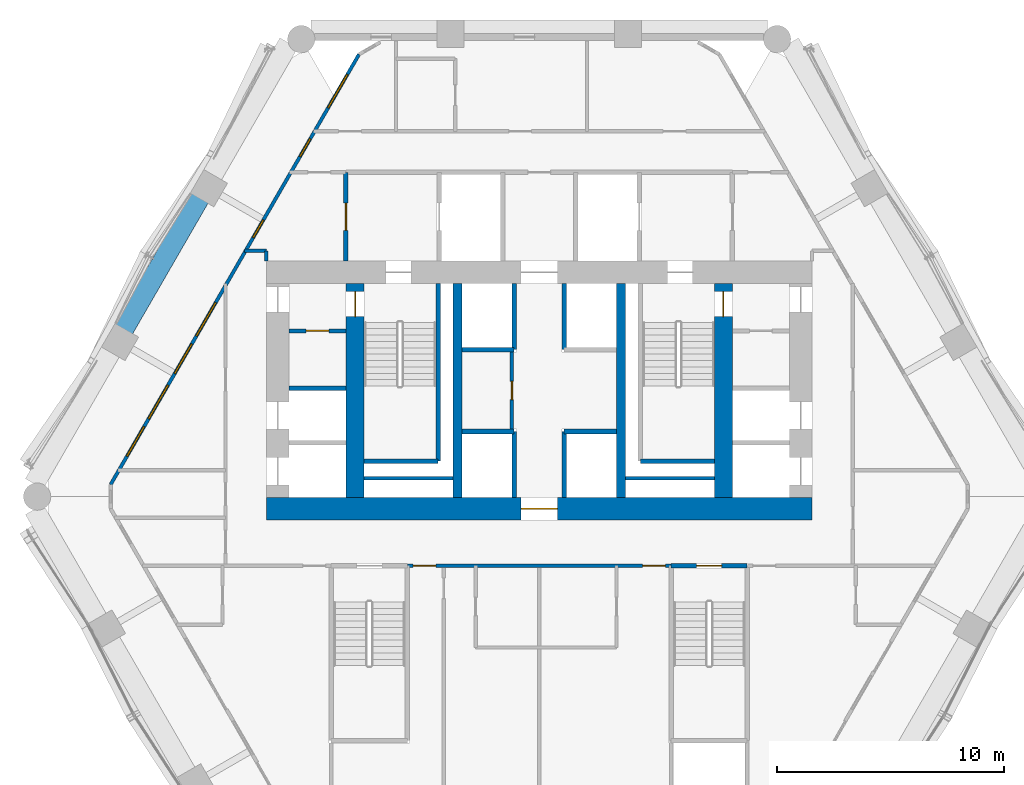
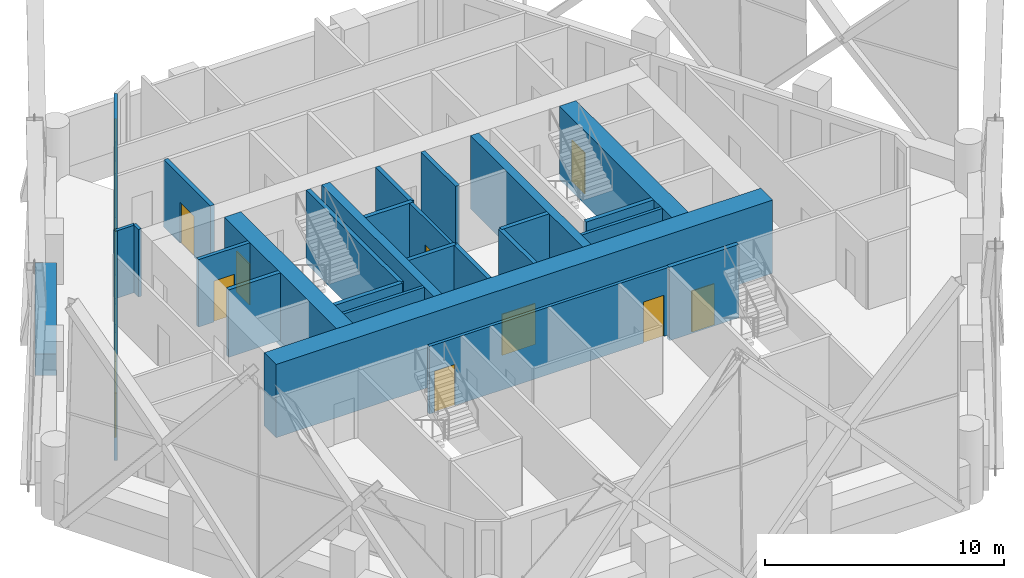
# One storey, part 13 of 21: 27 walls, 9 doors, 7 windows, 16 openings.
"""IFC4 building model written with IfcOpenShell, lengths in metres."""

from ifc_helpers import new_model, si_unit, direction, frame, frame_2d, origin, place, context, subcontext, project, spatial, rectangle, extrude, material, layer, layer_set, type_object, element, fill, save


model = new_model("IFC4")

# Units and contexts
model_context = context("Model", 3, precision=1e-05, world=origin(), true_north=direction((0.0, 1.0)))
body_context = subcontext(model_context, "Body", "Model", "MODEL_VIEW")
ifc_project = project(units=[si_unit("LENGTHUNIT", "METRE"), si_unit("AREAUNIT", "SQUARE_METRE"), si_unit("VOLUMEUNIT", "CUBIC_METRE"), si_unit("PLANEANGLEUNIT", "RADIAN"), si_unit("MASSUNIT", "GRAM", prefix="KILO")], contexts=[model_context])

# Site, building, storey
site_placement = place(None, origin())
site = spatial("IfcSite", under=ifc_project, at=site_placement, CompositionType="ELEMENT")
building_placement = place(site_placement, origin())
building = spatial("IfcBuilding", under=site, at=building_placement, Name="Ostrander Bayou Hotel Tower", CompositionType="ELEMENT")
storey_placement = place(building_placement, frame((0.0, 0.0, 116.0)))
storey = spatial("IfcBuildingStorey", under=building, at=storey_placement, Name="L28", CompositionType="ELEMENT", Elevation=116.0)

# Wall, opening, door
ifc_material_1 = material(Name="Concrete f'c 70 MPa", Category="concrete")
ifc_layer_1 = layer(ifc_material_1, 1.0)
ifc_layer_set_1 = layer_set([ifc_layer_1], Name="CW4 core wall 1000 mm f'c 70 MPa")
wall_type_1 = type_object("IfcWallType", Name="CW4 core wall 1000 mm f'c 70 MPa", PredefinedType="SHEAR", material=ifc_layer_set_1)
wall_1_placement = place(storey_placement, frame((-12.0, -1.199951171875, -0.300048828125), z_axis=(0.0, 0.0, 1.0), x_axis=(1.0, 0.0, 0.0)))
wall_1 = element("IfcWall", 1, at=wall_1_placement, inside=storey, type_object=wall_type_1, Name="CW4 L28 S", PredefinedType="SHEAR", context=body_context, shape_type="SweptSolid", body=[
    extrude(rectangle(XDim=24.0, YDim=1.0, at=frame_2d((12.0, 0.0))), origin(), (0.0, 0.0, 1.0), 3.75),
])
opening_1_placement = place(wall_1_placement, frame((11.199951171875, 0.0, 0.0)))
opening_1 = element("IfcOpeningElement", 2, at=opening_1_placement, cuts=wall_1, Name="Opening T28-001", PredefinedType="OPENING", context=body_context, shape_type="SweptSolid", body=[
    extrude(rectangle(XDim=1.60009765625, YDim=2.10009765625, at=frame_2d((0.800048828125, 1.050048828125))), frame((0.0, 0.5, 0.0), z_axis=(0.0, -1.0, 0.0), x_axis=(1.0, 0.0, 0.0)), (0.0, 0.0, 1.0), 1.0),
])
ifc_material_2 = material(Name="Timber door leaf", Category="wood")
door_type_1 = type_object("IfcDoorType", Name="D13 double door 1600 x 2100 mm, 1 hour", OperationType="SINGLE_SWING_LEFT", PredefinedType="DOOR", material=ifc_material_2)
door_1_placement = place(opening_1_placement, origin())
door_1 = element("IfcDoor", 3, at=door_1_placement, inside=storey, type_object=door_type_1, Name="dr:L28:001", OperationType="DOUBLE_DOOR_SINGLE_SWING", OverallHeight=2.10009765625, OverallWidth=1.60009765625, PredefinedType="DOOR", context=body_context, shape_type="SweptSolid", body=[
    extrude(rectangle(XDim=1.60009765625, YDim=2.10009765625, at=frame_2d((0.800048828125, 1.050048828125))), frame((0.0, 0.02490234375, 0.0), z_axis=(0.0, -1.0, 0.0), x_axis=(1.0, 0.0, 0.0)), (0.0, 0.0, 1.0), 0.050048828125),
])
fill(opening_1, door_1)

ifc_material_3 = material(Name="Concrete f'c 70 MPa", Category="concrete")
ifc_layer_2 = layer(ifc_material_3, 0.800048828125)
ifc_layer_set_2 = layer_set([ifc_layer_2], Name="CW5 core spine wall 800 mm f'c 70 MPa")
wall_type_2 = type_object("IfcWallType", Name="CW5 core spine wall 800 mm f'c 70 MPa", PredefinedType="SHEAR", material=ifc_layer_set_2)
wall_2_placement = place(storey_placement, frame((-8.10009765625, -0.699951171875, -0.300048828125), z_axis=(0.0, 0.0, 1.0), x_axis=(0.0, 1.0, 0.0)))
wall_2 = element("IfcWall", 4, at=wall_2_placement, inside=storey, type_object=wall_type_2, Name="CW5 L28 W", PredefinedType="SHEAR", context=body_context, shape_type="SweptSolid", body=[
    extrude(rectangle(XDim=9.39990234375, YDim=0.800048828125, at=frame_2d((4.699951171875, 0.0))), origin(), (0.0, 0.0, 1.0), 3.75),
])
opening_2_placement = place(wall_2_placement, frame((7.949951171875, 0.0, 0.0)))
opening_2 = element("IfcOpeningElement", 5, at=opening_2_placement, cuts=wall_2, Name="Opening T28-004", PredefinedType="OPENING", context=body_context, shape_type="SweptSolid", body=[
    extrude(rectangle(XDim=1.10009765625, YDim=2.10009765625, at=frame_2d((0.550048828125, 1.050048828125))), frame((0.0, 0.39990234375, 0.0), z_axis=(0.0, -1.0, 0.0), x_axis=(1.0, 0.0, 0.0)), (0.0, 0.0, 1.0), 0.800048828125),
])
ifc_material_4 = material(Name="Timber door leaf", Category="wood")
door_type_2 = type_object("IfcDoorType", Name="D5 stair door 1100 x 2100 mm, 90 minute", OperationType="SINGLE_SWING_LEFT", PredefinedType="DOOR", material=ifc_material_4)
door_2_placement = place(opening_2_placement, origin())
door_2 = element("IfcDoor", 6, at=door_2_placement, inside=storey, type_object=door_type_2, Name="dr:L28:004", OperationType="SINGLE_SWING_RIGHT", OverallHeight=2.10009765625, OverallWidth=1.10009765625, PredefinedType="DOOR", context=body_context, shape_type="SweptSolid", body=[
    extrude(rectangle(XDim=1.10009765625, YDim=2.10009765625, at=frame_2d((0.550048828125, 1.050048828125))), frame((0.0, 0.02490234375, 0.0), z_axis=(0.0, -1.0, 0.0), x_axis=(1.0, 0.0, 0.0)), (0.0, 0.0, 1.0), 0.050048828125),
])
fill(opening_2, door_2)

wall_3_placement = place(storey_placement, frame((8.10009765625, -0.699951171875, -0.300048828125), z_axis=(0.0, 0.0, 1.0), x_axis=(0.0, 1.0, 0.0)))
wall_3 = element("IfcWall", 7, at=wall_3_placement, inside=storey, type_object=wall_type_2, Name="CW5 L28 E", PredefinedType="SHEAR", context=body_context, shape_type="SweptSolid", body=[
    extrude(rectangle(XDim=9.39990234375, YDim=0.800048828125, at=frame_2d((4.699951171875, 0.0))), origin(), (0.0, 0.0, 1.0), 3.75),
])
opening_3_placement = place(wall_3_placement, frame((7.949951171875, 0.0, 0.0)))
opening_3 = element("IfcOpeningElement", 8, at=opening_3_placement, cuts=wall_3, Name="Opening T28-006", PredefinedType="OPENING", context=body_context, shape_type="SweptSolid", body=[
    extrude(rectangle(XDim=1.10009765625, YDim=2.10009765625, at=frame_2d((0.550048828125, 1.050048828125))), frame((0.0, 0.39990234375, 0.0), z_axis=(0.0, -1.0, 0.0), x_axis=(1.0, 0.0, 0.0)), (0.0, 0.0, 1.0), 0.800048828125),
])
door_3_placement = place(opening_3_placement, origin())
door_3 = element("IfcDoor", 9, at=door_3_placement, inside=storey, type_object=door_type_2, Name="dr:L28:006", OperationType="SINGLE_SWING_LEFT", OverallHeight=2.10009765625, OverallWidth=1.10009765625, PredefinedType="DOOR", context=body_context, shape_type="SweptSolid", body=[
    extrude(rectangle(XDim=1.10009765625, YDim=2.10009765625, at=frame_2d((0.550048828125, 1.050048828125))), frame((0.0, 0.02490234375, 0.0), z_axis=(0.0, -1.0, 0.0), x_axis=(1.0, 0.0, 0.0)), (0.0, 0.0, 1.0), 0.050048828125),
])
fill(opening_3, door_3)

# Walls
ifc_material_5 = material(Name="Concrete f'c 70 MPa", Category="concrete")
ifc_layer_3 = layer(ifc_material_5, 0.39990234375)
ifc_layer_set_3 = layer_set([ifc_layer_3], Name="CW6 core bank wall 400 mm f'c 70 MPa")
wall_type_3 = type_object("IfcWallType", Name="CW6 core bank wall 400 mm f'c 70 MPa", PredefinedType="SHEAR", material=ifc_layer_set_3)
for number, where, z_axis, x_axis, name in (
    (10, (-3.60009765625, -0.699951171875, -0.300048828125), (0.0, 0.0, 1.0), (0.0, 1.0, 0.0), "CW6 L28 CW"),
    (11, (3.60009765625, -0.699951171875, -0.300048828125), (0.0, 0.0, 1.0), (0.0, 1.0, 0.0), "CW6 L28 CE"),
):
    element("IfcWall", number, at=place(storey_placement, frame(where, z_axis=z_axis, x_axis=x_axis)), inside=storey, type_object=wall_type_3, Name=name, PredefinedType="SHEAR", context=body_context, shape_type="SweptSolid", body=[
        extrude(rectangle(XDim=9.39990234375, YDim=0.39990234375, at=frame_2d((4.699951171875, 0.0))), origin(), (0.0, 0.0, 1.0), 3.75),
    ])

# Wall, openings, windows
ifc_material_6 = material(Name="Aluminium framed insulated wall", Category="aluminium")
ifc_layer_4 = layer(ifc_material_6, 0.14990234375)
ifc_layer_set_4 = layer_set([ifc_layer_4], Name="GW1 glass-line wall 150 mm")
wall_type_4 = type_object("IfcWallType", Name="GW1 glass-line wall 150 mm", PredefinedType="SOLIDWALL", material=ifc_layer_set_4)
wall_4_placement = place(storey_placement, frame((-7.925048828125, 18.79248046875, 0.0), z_axis=(0.0, 0.0, 1.0), x_axis=(-0.499994842654, -0.866028381359, 0.0)))
wall_4 = element("IfcWall", 12, at=wall_4_placement, inside=storey, type_object=wall_type_4, Name="GW1 L28 NW 1", PredefinedType="SOLIDWALL", context=body_context, shape_type="SweptSolid", body=[
    extrude(rectangle(XDim=21.853271484375, YDim=0.14990234375, at=frame_2d((10.9267578125, 0.0))), origin(), (0.0, 0.0, 1.0), 3.449951171875),
])
opening_4_placement = place(wall_4_placement, frame((4.29345703125, 0.0, 0.14990234375)))
opening_4 = element("IfcOpeningElement", 13, at=opening_4_placement, cuts=wall_4, Name="Opening W16", PredefinedType="OPENING", context=body_context, shape_type="SweptSolid", body=[
    extrude(rectangle(XDim=0.89990234375, YDim=2.85009765625, at=frame_2d((0.449951171875, 1.425048828125))), frame((0.0, 0.074951171875, 0.0), z_axis=(0.0, -1.0, 0.0), x_axis=(1.0, 0.0, 0.0)), (0.0, 0.0, 1.0), 0.14990234375),
])
opening_5_placement = place(wall_4_placement, frame((8.412353515625, 0.0, 0.14990234375)))
opening_5 = element("IfcOpeningElement", 14, at=opening_5_placement, cuts=wall_4, Name="Opening W16", PredefinedType="OPENING", context=body_context, shape_type="SweptSolid", body=[
    extrude(rectangle(XDim=0.89990234375, YDim=2.85009765625, at=frame_2d((0.449951171875, 1.425048828125))), frame((0.0, 0.074951171875, 0.0), z_axis=(0.0, -1.0, 0.0), x_axis=(1.0, 0.0, 0.0)), (0.0, 0.0, 1.0), 0.14990234375),
])
opening_6_placement = place(wall_4_placement, frame((12.6123046875, 0.0, 0.14990234375)))
opening_6 = element("IfcOpeningElement", 15, at=opening_6_placement, cuts=wall_4, Name="Opening W2", PredefinedType="OPENING", context=body_context, shape_type="SweptSolid", body=[
    extrude(rectangle(XDim=1.699951171875, YDim=2.85009765625, at=frame_2d((0.85009765625, 1.425048828125))), frame((0.0, 0.074951171875, 0.0), z_axis=(0.0, -1.0, 0.0), x_axis=(1.0, 0.0, 0.0)), (0.0, 0.0, 1.0), 0.14990234375),
])
opening_7_placement = place(wall_4_placement, frame((14.71240234375, 0.0, 0.14990234375)))
opening_7 = element("IfcOpeningElement", 16, at=opening_7_placement, cuts=wall_4, Name="Opening W12", PredefinedType="OPENING", context=body_context, shape_type="SweptSolid", body=[
    extrude(rectangle(XDim=1.5, YDim=2.85009765625, at=frame_2d((0.75, 1.425048828125))), frame((0.0, 0.074951171875, 0.0), z_axis=(0.0, -1.0, 0.0), x_axis=(1.0, 0.0, 0.0)), (0.0, 0.0, 1.0), 0.14990234375),
])
opening_8_placement = place(wall_4_placement, frame((16.812255859375, 0.0, 0.14990234375)))
opening_8 = element("IfcOpeningElement", 17, at=opening_8_placement, cuts=wall_4, Name="Opening W2", PredefinedType="OPENING", context=body_context, shape_type="SweptSolid", body=[
    extrude(rectangle(XDim=1.699951171875, YDim=2.85009765625, at=frame_2d((0.85009765625, 1.425048828125))), frame((0.0, 0.074951171875, 0.0), z_axis=(0.0, -1.0, 0.0), x_axis=(1.0, 0.0, 0.0)), (0.0, 0.0, 1.0), 0.14990234375),
])
opening_9_placement = place(wall_4_placement, frame((18.912353515625, 0.0, 0.14990234375)))
opening_9 = element("IfcOpeningElement", 18, at=opening_9_placement, cuts=wall_4, Name="Opening W12", PredefinedType="OPENING", context=body_context, shape_type="SweptSolid", body=[
    extrude(rectangle(XDim=1.5, YDim=2.85009765625, at=frame_2d((0.75, 1.425048828125))), frame((0.0, 0.074951171875, 0.0), z_axis=(0.0, -1.0, 0.0), x_axis=(1.0, 0.0, 0.0)), (0.0, 0.0, 1.0), 0.14990234375),
])
opening_10_placement = place(wall_4_placement, frame((1.021728515625, 0.0, 0.14990234375)))
opening_10 = element("IfcOpeningElement", 19, at=opening_10_placement, cuts=wall_4, Name="Opening W2", PredefinedType="OPENING", context=body_context, shape_type="SweptSolid", body=[
    extrude(rectangle(XDim=1.699951171875, YDim=2.72998046875, at=frame_2d((0.85009765625, 1.364990234375))), frame((0.0, 0.074951171875, 0.0), z_axis=(0.0, -1.0, 0.0), x_axis=(1.0, 0.0, 0.0)), (0.0, 0.0, 1.0), 0.14990234375),
])
ifc_material_7 = material(Name="Aluminium and clear glass", Category="aluminium")
window_type_1 = type_object("IfcWindowType", Name="W12 fixed window 1500 mm, bath bay, zone 2", PartitioningType="SINGLE_PANEL", PredefinedType="WINDOW", material=ifc_material_7)
window_1_placement = place(opening_7_placement, origin())
window_1 = element("IfcWindow", 20, at=window_1_placement, inside=storey, type_object=window_type_1, Name="W12 L28 NW 3", OverallHeight=2.85009765625, OverallWidth=1.5, PartitioningType="SINGLE_PANEL", PredefinedType="WINDOW", context=body_context, shape_type="SweptSolid", body=[
    extrude(rectangle(XDim=1.5, YDim=2.85009765625, at=frame_2d((0.75, 1.425048828125))), frame((0.0, 0.030029296875, 0.0), z_axis=(0.0, -1.0, 0.0), x_axis=(1.0, 0.0, 0.0)), (0.0, 0.0, 1.0), 0.06005859375),
])
fill(opening_7, window_1)
window_2_placement = place(opening_9_placement, origin())
window_2 = element("IfcWindow", 21, at=window_2_placement, inside=storey, type_object=window_type_1, Name="W12 L28 NW 4", OverallHeight=2.85009765625, OverallWidth=1.5, PartitioningType="SINGLE_PANEL", PredefinedType="WINDOW", context=body_context, shape_type="SweptSolid", body=[
    extrude(rectangle(XDim=1.5, YDim=2.85009765625, at=frame_2d((0.75, 1.425048828125))), frame((0.0, 0.030029296875, 0.0), z_axis=(0.0, -1.0, 0.0), x_axis=(1.0, 0.0, 0.0)), (0.0, 0.0, 1.0), 0.06005859375),
])
fill(opening_9, window_2)
ifc_material_8 = material(Name="Aluminium and clear glass", Category="aluminium")
window_type_2 = type_object("IfcWindowType", Name="W16 window 900 mm, zone 2", PartitioningType="SINGLE_PANEL", PredefinedType="WINDOW", material=ifc_material_8)
window_3_placement = place(opening_4_placement, origin())
window_3 = element("IfcWindow", 22, at=window_3_placement, inside=storey, type_object=window_type_2, Name="W16 L28 NW 1", OverallHeight=2.85009765625, OverallWidth=0.89990234375, PartitioningType="SINGLE_PANEL", PredefinedType="WINDOW", context=body_context, shape_type="SweptSolid", body=[
    extrude(rectangle(XDim=0.89990234375, YDim=2.85009765625, at=frame_2d((0.449951171875, 1.425048828125))), frame((0.0, 0.030029296875, 0.0), z_axis=(0.0, -1.0, 0.0), x_axis=(1.0, 0.0, 0.0)), (0.0, 0.0, 1.0), 0.06005859375),
])
fill(opening_4, window_3)
window_4_placement = place(opening_5_placement, origin())
window_4 = element("IfcWindow", 23, at=window_4_placement, inside=storey, type_object=window_type_2, Name="W16 L28 NW 2", OverallHeight=2.85009765625, OverallWidth=0.89990234375, PartitioningType="SINGLE_PANEL", PredefinedType="WINDOW", context=body_context, shape_type="SweptSolid", body=[
    extrude(rectangle(XDim=0.89990234375, YDim=2.85009765625, at=frame_2d((0.449951171875, 1.425048828125))), frame((0.0, 0.030029296875, 0.0), z_axis=(0.0, -1.0, 0.0), x_axis=(1.0, 0.0, 0.0)), (0.0, 0.0, 1.0), 0.06005859375),
])
fill(opening_5, window_4)
ifc_material_9 = material(Name="Aluminium and clear glass", Category="aluminium")
window_type_3 = type_object("IfcWindowType", Name="W2 fixed window 1700 mm, zone 2", PartitioningType="SINGLE_PANEL", PredefinedType="WINDOW", material=ifc_material_9)
window_5_placement = place(opening_6_placement, origin())
window_5 = element("IfcWindow", 24, at=window_5_placement, inside=storey, type_object=window_type_3, Name="W2 L28 NW 3", OverallHeight=2.85009765625, OverallWidth=1.699951171875, PartitioningType="SINGLE_PANEL", PredefinedType="WINDOW", context=body_context, shape_type="SweptSolid", body=[
    extrude(rectangle(XDim=1.699951171875, YDim=2.85009765625, at=frame_2d((0.85009765625, 1.425048828125))), frame((0.0, 0.030029296875, 0.0), z_axis=(0.0, -1.0, 0.0), x_axis=(1.0, 0.0, 0.0)), (0.0, 0.0, 1.0), 0.06005859375),
])
fill(opening_6, window_5)
window_6_placement = place(opening_8_placement, origin())
window_6 = element("IfcWindow", 25, at=window_6_placement, inside=storey, type_object=window_type_3, Name="W2 L28 NW 4", OverallHeight=2.85009765625, OverallWidth=1.699951171875, PartitioningType="SINGLE_PANEL", PredefinedType="WINDOW", context=body_context, shape_type="SweptSolid", body=[
    extrude(rectangle(XDim=1.699951171875, YDim=2.85009765625, at=frame_2d((0.85009765625, 1.425048828125))), frame((0.0, 0.030029296875, 0.0), z_axis=(0.0, -1.0, 0.0), x_axis=(1.0, 0.0, 0.0)), (0.0, 0.0, 1.0), 0.06005859375),
])
fill(opening_8, window_6)
window_7_placement = place(opening_10_placement, origin())
window_7 = element("IfcWindow", 26, at=window_7_placement, inside=storey, type_object=window_type_3, Name="W2 L28 NW E11", OverallHeight=2.72998046875, OverallWidth=1.699951171875, PartitioningType="SINGLE_PANEL", PredefinedType="WINDOW", context=body_context, shape_type="SweptSolid", body=[
    extrude(rectangle(XDim=1.699951171875, YDim=2.72998046875, at=frame_2d((0.85009765625, 1.364990234375))), frame((0.0, 0.030029296875, 0.0), z_axis=(0.0, -1.0, 0.0), x_axis=(1.0, 0.0, 0.0)), (0.0, 0.0, 1.0), 0.06005859375),
])
fill(opening_10, window_7)

# Wall
ifc_material_10 = material(Name="Concrete f'c 40 MPa", Category="concrete")
ifc_layer_5 = layer(ifc_material_10, 0.89990234375)
ifc_layer_set_5 = layer_set([ifc_layer_5], Name="PA1 stone-faced parapet 900 mm")
wall_type_5 = type_object("IfcWallType", Name="PA1 stone-faced parapet 900 mm", PredefinedType="PARAPET", material=ifc_layer_set_5)
wall_5_placement = place(storey_placement, frame((-14.94580078125, 12.48193359375, 0.0), z_axis=(0.0, 0.0, 1.0), x_axis=(-0.50001062018, -0.866019272134, 0.0)))
element("IfcWall", 27, at=wall_5_placement, inside=storey, type_object=wall_type_5, Name="PA1 L28 NW-2", PredefinedType="PARAPET", context=body_context, shape_type="SweptSolid", body=[
    extrude(rectangle(XDim=6.673583984375, YDim=0.89990234375, at=frame_2d((3.3369140625, 0.0))), origin(), (0.0, 0.0, 1.0), 1.10009765625),
])

# Wall, opening, door
ifc_material_11 = material(Name="Gypsum board partition", Category="finish")
ifc_layer_6 = layer(ifc_material_11, 0.175048828125)
ifc_layer_set_6 = layer_set([ifc_layer_6], Name="PT4 corridor wall 175 mm, 1 hour")
wall_type_6 = type_object("IfcWallType", Name="PT4 corridor wall 175 mm, 1 hour", PredefinedType="PARTITIONING", material=ifc_layer_set_6)
wall_6_placement = place(storey_placement, frame((-11.0, 6.6298828125, 0.0), z_axis=(0.0, 0.0, 1.0), x_axis=(1.0, 0.0, 0.0)))
wall_6 = element("IfcWall", 28, at=wall_6_placement, inside=storey, type_object=wall_type_6, Name="cs:L28:035", PredefinedType="PARTITIONING", context=body_context, shape_type="SweptSolid", body=[
    extrude(rectangle(XDim=2.5, YDim=0.175048828125, at=frame_2d((1.25, 0.0))), origin(), (0.0, 0.0, 1.0), 3.449951171875),
])
opening_11_placement = place(wall_6_placement, frame((0.75, 0.0, 0.0)))
opening_11 = element("IfcOpeningElement", 29, at=opening_11_placement, cuts=wall_6, Name="Opening T28-015", PredefinedType="OPENING", context=body_context, shape_type="SweptSolid", body=[
    extrude(rectangle(XDim=1.0, YDim=2.10009765625, at=frame_2d((0.5, 1.050048828125))), frame((0.0, 0.08740234375, 0.0), z_axis=(0.0, -1.0, 0.0), x_axis=(1.0, 0.0, 0.0)), (0.0, 0.0, 1.0), 0.175048828125),
])
ifc_material_12 = material(Name="Timber door leaf", Category="wood")
door_type_3 = type_object("IfcDoorType", Name="D4 corridor door 1000 x 2100 mm, 1 hour", OperationType="SINGLE_SWING_LEFT", PredefinedType="DOOR", material=ifc_material_12)
door_4_placement = place(opening_11_placement, origin())
door_4 = element("IfcDoor", 30, at=door_4_placement, inside=storey, type_object=door_type_3, Name="dr:L28:015", OperationType="SINGLE_SWING_LEFT", OverallHeight=2.10009765625, OverallWidth=1.0, PredefinedType="DOOR", context=body_context, shape_type="SweptSolid", body=[
    extrude(rectangle(XDim=1.0, YDim=2.10009765625, at=frame_2d((0.5, 1.050048828125))), frame((0.0, 0.02490234375, 0.0), z_axis=(0.0, -1.0, 0.0), x_axis=(1.0, 0.0, 0.0)), (0.0, 0.0, 1.0), 0.050048828125),
])
fill(opening_11, door_4)

ifc_material_13 = material(Name="Masonry block", Category="masonry")
ifc_layer_7 = layer(ifc_material_13, 0.199951171875)
ifc_layer_set_7 = layer_set([ifc_layer_7], Name="PT5 stair enclosure wall 200 mm masonry, 2 hour")
wall_type_7 = type_object("IfcWallType", Name="PT5 stair enclosure wall 200 mm masonry, 2 hour", PredefinedType="PARTITIONING", material=ifc_layer_set_7)
wall_7_placement = place(storey_placement, frame((-8.5, 9.699951171875, 0.0), z_axis=(0.0, 0.0, 1.0), x_axis=(0.0, 1.0, 0.0)))
wall_7 = element("IfcWall", 31, at=wall_7_placement, inside=storey, type_object=wall_type_7, Name="cs:L28:026", PredefinedType="PARTITIONING", context=body_context, shape_type="SweptSolid", body=[
    extrude(rectangle(XDim=3.900146484375, YDim=0.199951171875, at=frame_2d((1.9501953125, 0.0))), origin(), (0.0, 0.0, 1.0), 3.449951171875),
])
opening_12_placement = place(wall_7_placement, frame((1.35009765625, 0.0, 0.0)))
opening_12 = element("IfcOpeningElement", 32, at=opening_12_placement, cuts=wall_7, Name="Opening T28-010", PredefinedType="OPENING", context=body_context, shape_type="SweptSolid", body=[
    extrude(rectangle(XDim=1.199951171875, YDim=2.10009765625, at=frame_2d((0.60009765625, 1.050048828125))), frame((0.0, 0.10009765625, 0.0), z_axis=(0.0, -1.0, 0.0), x_axis=(1.0, 0.0, 0.0)), (0.0, 0.0, 1.0), 0.199951171875),
])
ifc_material_14 = material(Name="Timber door leaf", Category="wood")
door_type_4 = type_object("IfcDoorType", Name="D7 lobby door 1200 x 2100 mm, 1 hour", OperationType="SINGLE_SWING_LEFT", PredefinedType="DOOR", material=ifc_material_14)
door_5_placement = place(opening_12_placement, origin())
door_5 = element("IfcDoor", 33, at=door_5_placement, inside=storey, type_object=door_type_4, Name="dr:L28:010", OperationType="SINGLE_SWING_LEFT", OverallHeight=2.10009765625, OverallWidth=1.199951171875, PredefinedType="DOOR", context=body_context, shape_type="SweptSolid", body=[
    extrude(rectangle(XDim=1.199951171875, YDim=2.10009765625, at=frame_2d((0.60009765625, 1.050048828125))), frame((0.0, 0.02490234375, 0.0), z_axis=(0.0, -1.0, 0.0), x_axis=(1.0, 0.0, 0.0)), (0.0, 0.0, 1.0), 0.050048828125),
])
fill(opening_12, door_5)

# Walls
ifc_material_15 = material(Name="Masonry block", Category="masonry")
ifc_layer_8 = layer(ifc_material_15, 0.199951171875)
ifc_layer_set_8 = layer_set([ifc_layer_8], Name="PT6 lift shaft wall 200 mm masonry, 2 hour")
wall_type_8 = type_object("IfcWallType", Name="PT6 lift shaft wall 200 mm masonry, 2 hour", PredefinedType="PARTITIONING", material=ifc_layer_set_8)
for number, where, z_axis, x_axis, name in (
    (34, (-3.39990234375, 2.199951171875, 0.0), (0.0, 0.0, 1.0), (1.0, 0.0, 0.0), "cs:L28:001"),
    (35, (-3.39990234375, 5.800048828125, 0.0), (0.0, 0.0, 1.0), (1.0, 0.0, 0.0), "cs:L28:002"),
    (36, (1.10009765625, 2.199951171875, 0.0), (0.0, 0.0, 1.0), (1.0, 0.0, 0.0), "cs:L28:003"),
):
    element("IfcWall", number, at=place(storey_placement, frame(where, z_axis=z_axis, x_axis=x_axis)), inside=storey, type_object=wall_type_8, Name=name, PredefinedType="PARTITIONING", context=body_context, shape_type="SweptSolid", body=[
        extrude(rectangle(XDim=2.2998046875, YDim=0.199951171875, at=frame_2d((1.14990234375, 0.0))), origin(), (0.0, 0.0, 1.0), 3.449951171875),
    ])
for number, where, z_axis, x_axis, name in (
    (37, (-1.10009765625, -0.699951171875, 0.0), (0.0, 0.0, 1.0), (0.0, 1.0, 0.0), "cs:L28:005"),
    (38, (1.10009765625, -0.699951171875, 0.0), (0.0, 0.0, 1.0), (0.0, 1.0, 0.0), "cs:L28:006"),
    (39, (-1.10009765625, 5.800048828125, 0.0), (0.0, 0.0, 1.0), (0.0, 1.0, 0.0), "cs:L28:007"),
    (40, (1.10009765625, 5.800048828125, 0.0), (0.0, 0.0, 1.0), (0.0, 1.0, 0.0), "cs:L28:008"),
):
    element("IfcWall", number, at=place(storey_placement, frame(where, z_axis=z_axis, x_axis=x_axis)), inside=storey, type_object=wall_type_8, Name=name, PredefinedType="PARTITIONING", context=body_context, shape_type="SweptSolid", body=[
        extrude(rectangle(XDim=2.89990234375, YDim=0.199951171875, at=frame_2d((1.449951171875, 0.0))), origin(), (0.0, 0.0, 1.0), 3.449951171875),
    ])
wall_8_placement = place(storey_placement, frame((-11.0, 4.10009765625, 0.0), z_axis=(0.0, 0.0, 1.0), x_axis=(1.0, 0.0, 0.0)))
element("IfcWall", 41, at=wall_8_placement, inside=storey, type_object=wall_type_8, Name="cs:L28:034", PredefinedType="PARTITIONING", context=body_context, shape_type="SweptSolid", body=[
    extrude(rectangle(XDim=2.5, YDim=0.199951171875, at=frame_2d((1.25, 0.0))), origin(), (0.0, 0.0, 1.0), 3.449951171875),
])
ifc_material_16 = material(Name="Gypsum board partition", Category="finish")
ifc_layer_9 = layer(ifc_material_16, 0.14990234375)
ifc_layer_set_9 = layer_set([ifc_layer_9], Name="PT7 riser wall 150 mm, 2 hour")
wall_type_9 = type_object("IfcWallType", Name="PT7 riser wall 150 mm, 2 hour", PredefinedType="PARTITIONING", material=ifc_layer_set_9)
for number, where, z_axis, x_axis, name in (
    (42, (-7.699951171875, 0.14990234375, 0.0), (0.0, 0.0, 1.0), (1.0, 0.0, 0.0), "cs:L28:011"),
    (43, (3.800048828125, 0.14990234375, 0.0), (0.0, 0.0, 1.0), (1.0, 0.0, 0.0), "cs:L28:014"),
):
    element("IfcWall", number, at=place(storey_placement, frame(where, z_axis=z_axis, x_axis=x_axis)), inside=storey, type_object=wall_type_9, Name=name, PredefinedType="PARTITIONING", context=body_context, shape_type="SweptSolid", body=[
        extrude(rectangle(XDim=3.89990234375, YDim=0.14990234375, at=frame_2d((1.949951171875, 0.0))), origin(), (0.0, 0.0, 1.0), 3.449951171875),
    ])

# Wall, opening, door
wall_9_placement = place(storey_placement, frame((-1.199951171875, 2.300048828125, 0.0), z_axis=(0.0, 0.0, 1.0), x_axis=(0.0, 1.0, 0.0)))
wall_9 = element("IfcWall", 44, at=wall_9_placement, inside=storey, type_object=wall_type_9, Name="cs:L28:032", PredefinedType="PARTITIONING", context=body_context, shape_type="SweptSolid", body=[
    extrude(rectangle(XDim=3.39990234375, YDim=0.14990234375, at=frame_2d((1.699951171875, 0.0))), origin(), (0.0, 0.0, 1.0), 3.449951171875),
])
opening_13_placement = place(wall_9_placement, frame((1.300048828125, 0.0, 0.0)))
opening_13 = element("IfcOpeningElement", 45, at=opening_13_placement, cuts=wall_9, Name="Opening T28-014", PredefinedType="OPENING", context=body_context, shape_type="SweptSolid", body=[
    extrude(rectangle(XDim=0.800048828125, YDim=2.10009765625, at=frame_2d((0.39990234375, 1.050048828125))), frame((0.0, 0.074951171875, 0.0), z_axis=(0.0, -1.0, 0.0), x_axis=(1.0, 0.0, 0.0)), (0.0, 0.0, 1.0), 0.14990234375),
])
ifc_material_17 = material(Name="Timber door leaf", Category="wood")
door_type_5 = type_object("IfcDoorType", Name="D6 riser door 800 x 2100 mm, 90 minute", OperationType="SINGLE_SWING_LEFT", PredefinedType="DOOR", material=ifc_material_17)
door_6_placement = place(opening_13_placement, origin())
door_6 = element("IfcDoor", 46, at=door_6_placement, inside=storey, type_object=door_type_5, Name="dr:L28:014", OperationType="SINGLE_SWING_LEFT", OverallHeight=2.10009765625, OverallWidth=0.800048828125, PredefinedType="DOOR", context=body_context, shape_type="SweptSolid", body=[
    extrude(rectangle(XDim=0.800048828125, YDim=2.10009765625, at=frame_2d((0.39990234375, 1.050048828125))), frame((0.0, 0.02490234375, 0.0), z_axis=(0.0, -1.0, 0.0), x_axis=(1.0, 0.0, 0.0)), (0.0, 0.0, 1.0), 0.050048828125),
])
fill(opening_13, door_6)

# Wall, openings, doors
ifc_material_18 = material(Name="Gypsum board partition", Category="finish")
ifc_layer_10 = layer(ifc_material_18, 0.14990234375)
ifc_layer_set_10 = layer_set([ifc_layer_10], Name="PT8 service band wall 150 mm, 1 hour")
wall_type_10 = type_object("IfcWallType", Name="PT8 service band wall 150 mm, 1 hour", PredefinedType="PARTITIONING", material=ifc_layer_set_10)
wall_10_placement = place(storey_placement, frame((-5.7900390625, -3.699951171875, 0.0), z_axis=(0.0, 0.0, 1.0), x_axis=(1.0, 0.0, 0.0)))
wall_10 = element("IfcWall", 47, at=wall_10_placement, inside=storey, type_object=wall_type_10, Name="gw:L28:005", PredefinedType="PARTITIONING", context=body_context, shape_type="SweptSolid", body=[
    extrude(rectangle(XDim=11.580078125, YDim=0.14990234375, at=frame_2d((5.7900390625, 0.0))), origin(), (0.0, 0.0, 1.0), 3.449951171875),
])
opening_14_placement = place(wall_10_placement, frame((0.239990234375, 0.0, 0.0)))
opening_14 = element("IfcOpeningElement", 48, at=opening_14_placement, cuts=wall_10, Name="Opening T28-400", PredefinedType="OPENING", context=body_context, shape_type="SweptSolid", body=[
    extrude(rectangle(XDim=1.0, YDim=2.10009765625, at=frame_2d((0.5, 1.050048828125))), frame((0.0, 0.074951171875, 0.0), z_axis=(0.0, -1.0, 0.0), x_axis=(1.0, 0.0, 0.0)), (0.0, 0.0, 1.0), 0.14990234375),
])
opening_15_placement = place(wall_10_placement, frame((10.340087890625, 0.0, 0.0)))
opening_15 = element("IfcOpeningElement", 49, at=opening_15_placement, cuts=wall_10, Name="Opening T28-405", PredefinedType="OPENING", context=body_context, shape_type="SweptSolid", body=[
    extrude(rectangle(XDim=1.0, YDim=2.10009765625, at=frame_2d((0.5, 1.050048828125))), frame((0.0, 0.074951171875, 0.0), z_axis=(0.0, -1.0, 0.0), x_axis=(1.0, 0.0, 0.0)), (0.0, 0.0, 1.0), 0.14990234375),
])
ifc_material_19 = material(Name="Timber door leaf", Category="wood")
door_type_6 = type_object("IfcDoorType", Name="D1 guest room door 1000 x 2100 mm, 30 minute", OperationType="SINGLE_SWING_LEFT", PredefinedType="DOOR", material=ifc_material_19)
door_7_placement = place(opening_14_placement, origin())
door_7 = element("IfcDoor", 50, at=door_7_placement, inside=storey, type_object=door_type_6, Name="dr:L28:400", OperationType="SINGLE_SWING_LEFT", OverallHeight=2.10009765625, OverallWidth=1.0, PredefinedType="DOOR", context=body_context, shape_type="SweptSolid", body=[
    extrude(rectangle(XDim=1.0, YDim=2.10009765625, at=frame_2d((0.5, 1.050048828125))), frame((0.0, 0.02490234375, 0.0), z_axis=(0.0, -1.0, 0.0), x_axis=(1.0, 0.0, 0.0)), (0.0, 0.0, 1.0), 0.050048828125),
])
fill(opening_14, door_7)
door_8_placement = place(opening_15_placement, origin())
door_8 = element("IfcDoor", 51, at=door_8_placement, inside=storey, type_object=door_type_6, Name="dr:L28:405", OperationType="SINGLE_SWING_RIGHT", OverallHeight=2.10009765625, OverallWidth=1.0, PredefinedType="DOOR", context=body_context, shape_type="SweptSolid", body=[
    extrude(rectangle(XDim=1.0, YDim=2.10009765625, at=frame_2d((0.5, 1.050048828125))), frame((0.0, 0.02490234375, 0.0), z_axis=(0.0, -1.0, 0.0), x_axis=(1.0, 0.0, 0.0)), (0.0, 0.0, 1.0), 0.050048828125),
])
fill(opening_15, door_8)

# Walls
wall_11_placement = place(storey_placement, frame((-12.967041015625, 10.14990234375, 0.0), z_axis=(0.0, 0.0, 1.0), x_axis=(1.0, 0.0, 0.0)))
element("IfcWall", 52, at=wall_11_placement, inside=storey, type_object=wall_type_10, Name="gw:L28:010", PredefinedType="PARTITIONING", context=body_context, shape_type="SweptSolid", body=[
    extrude(rectangle(XDim=0.967041015625, YDim=0.14990234375, at=frame_2d((0.4833984375, 0.0))), origin(), (0.0, 0.0, 1.0), 3.449951171875),
])
wall_12_placement = place(storey_placement, frame((-12.0, 9.7099609375, 0.0), z_axis=(0.0, 0.0, 1.0), x_axis=(0.0, 1.0, 0.0)))
element("IfcWall", 53, at=wall_12_placement, inside=storey, type_object=wall_type_10, Name="gw:L28:029", PredefinedType="PARTITIONING", context=body_context, shape_type="SweptSolid", body=[
    extrude(rectangle(XDim=0.43994140625, YDim=0.14990234375, at=frame_2d((0.219970703125, 0.0))), origin(), (0.0, 0.0, 1.0), 3.449951171875),
])
ifc_material_20 = material(Name="Concrete f'c 45 MPa", Category="concrete")
ifc_layer_11 = layer(ifc_material_20, 0.199951171875)
ifc_layer_set_11 = layer_set([ifc_layer_11], Name="SW5 stair enclosure wall 200 mm f'c 45 MPa")
wall_type_11 = type_object("IfcWallType", Name="SW5 stair enclosure wall 200 mm f'c 45 MPa", PredefinedType="SOLIDWALL", material=ifc_layer_set_11)
wall_13_placement = place(storey_placement, frame((-4.449951171875, 0.89990234375, -0.300048828125), z_axis=(0.0, 0.0, 1.0), x_axis=(0.0, 1.0, 0.0)))
element("IfcWall", 54, at=wall_13_placement, inside=storey, type_object=wall_type_11, Name="cs:L28:009", PredefinedType="SOLIDWALL", context=body_context, shape_type="SweptSolid", body=[
    extrude(rectangle(XDim=7.800048828125, YDim=0.199951171875, at=frame_2d((3.89990234375, 0.0))), origin(), (0.0, 0.0, 1.0), 3.75),
])
for number, where, z_axis, x_axis, name in (
    (55, (-7.699951171875, 0.89990234375, -0.300048828125), (0.0, 0.0, 1.0), (1.0, 0.0, 0.0), "cs:L28:010"),
    (56, (4.449951171875, 0.89990234375, -0.300048828125), (0.0, 0.0, 1.0), (1.0, 0.0, 0.0), "cs:L28:013"),
):
    element("IfcWall", number, at=place(storey_placement, frame(where, z_axis=z_axis, x_axis=x_axis)), inside=storey, type_object=wall_type_11, Name=name, PredefinedType="SOLIDWALL", context=body_context, shape_type="SweptSolid", body=[
        extrude(rectangle(XDim=3.25, YDim=0.199951171875, at=frame_2d((1.625, 0.0))), origin(), (0.0, 0.0, 1.0), 3.75),
    ])

# Wall, opening, door
wall_14_placement = place(storey_placement, frame((5.800048828125, -3.699951171875, -0.300048828125), z_axis=(0.0, 0.0, 1.0), x_axis=(1.0, 0.0, 0.0)))
wall_14 = element("IfcWall", 57, at=wall_14_placement, inside=storey, type_object=wall_type_11, Name="cs:L28:015", PredefinedType="SOLIDWALL", context=body_context, shape_type="SweptSolid", body=[
    extrude(rectangle(XDim=3.349853515625, YDim=0.199951171875, at=frame_2d((1.6748046875, 0.0))), origin(), (0.0, 0.0, 1.0), 3.75),
])
opening_16_placement = place(wall_14_placement, frame((1.125, 0.0, 0.0)))
opening_16 = element("IfcOpeningElement", 58, at=opening_16_placement, cuts=wall_14, Name="Opening T28-007", PredefinedType="OPENING", context=body_context, shape_type="SweptSolid", body=[
    extrude(rectangle(XDim=1.10009765625, YDim=2.10009765625, at=frame_2d((0.550048828125, 1.050048828125))), frame((0.0, 0.10009765625, 0.0), z_axis=(0.0, -1.0, 0.0), x_axis=(1.0, 0.0, 0.0)), (0.0, 0.0, 1.0), 0.199951171875),
])
door_9_placement = place(opening_16_placement, origin())
door_9 = element("IfcDoor", 59, at=door_9_placement, inside=storey, type_object=door_type_2, Name="dr:L28:007", OperationType="SINGLE_SWING_LEFT", OverallHeight=2.10009765625, OverallWidth=1.10009765625, PredefinedType="DOOR", context=body_context, shape_type="SweptSolid", body=[
    extrude(rectangle(XDim=1.10009765625, YDim=2.10009765625, at=frame_2d((0.550048828125, 1.050048828125))), frame((0.0, 0.02490234375, 0.0), z_axis=(0.0, -1.0, 0.0), x_axis=(1.0, 0.0, 0.0)), (0.0, 0.0, 1.0), 0.050048828125),
])
fill(opening_16, door_9)

save(model, "model.ifc")
